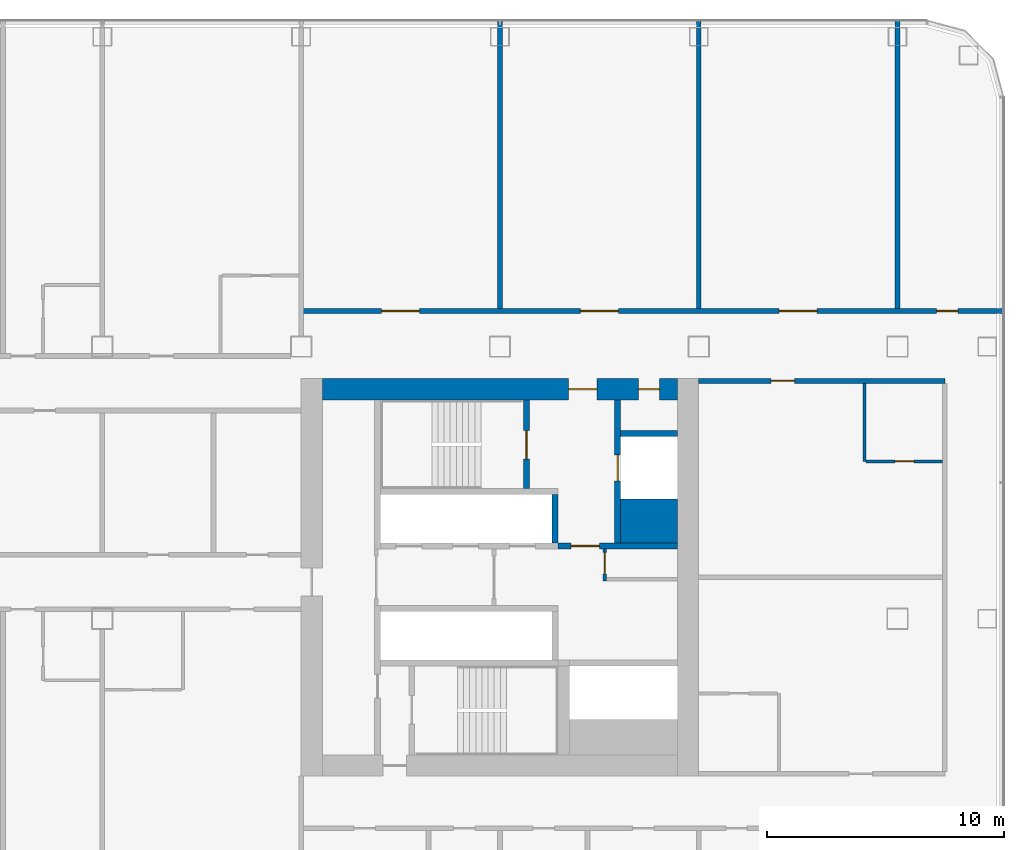
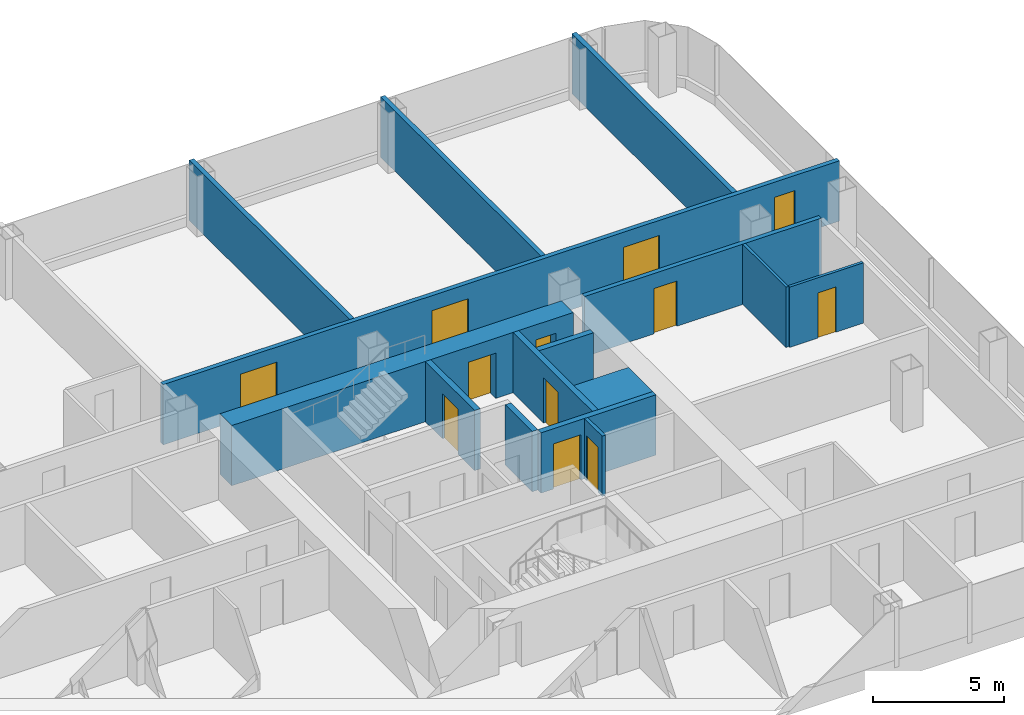
# One storey, part 20 of 29: 15 walls, 12 doors, 12 openings.
"""IFC4 building model written with IfcOpenShell, lengths in metres."""

import ifcopenshell
import ifcopenshell.guid

model = None  # the IFC model being written
_history = None  # IfcOwnerHistory: only IFC2X3 demands one
_inside = {}  # id of a spatial element -> (the spatial element, [elements in it])
_under = {}  # id of a project, library or spatial element -> (it, [spatial elements below it])
_declared = {}  # id of a project -> (the project, [libraries it declares])
_typed = {}  # id of a type object -> (the type object, [elements of that type])
_made_of = {}  # id of a material, layer set ... -> (it, [elements and type objects made of it])


def new_model(schema):
    """Start an empty IFC model of exactly this schema.

    Asked for "IFC4X3", IfcOpenShell would pick the latest addendum, in which some entities
    have other attributes; the version numbers below select the first issue.
    IFC2X3 requires an IfcOwnerHistory on every rooted entity: one is made here for all.
    """
    global model, _history
    if schema == "IFC4X3":
        model = ifcopenshell.file(schema_version=(4, 3, 0, 0))
    else:
        model = ifcopenshell.file(schema=schema)
    _inside.clear()
    _under.clear()
    _declared.clear()
    _typed.clear()
    _made_of.clear()
    _history = None
    if model.schema == "IFC2X3":
        org = make("IfcOrganization", Name="unknown")
        user = make(
            "IfcPersonAndOrganization",
            ThePerson=make("IfcPerson", FamilyName="unknown"),
            TheOrganization=org,
        )
        app = make(
            "IfcApplication",
            ApplicationDeveloper=org,
            Version="unknown",
            ApplicationFullName="unknown",
            ApplicationIdentifier="unknown",
        )
        _history = make(
            "IfcOwnerHistory",
            OwningUser=user,
            OwningApplication=app,
            ChangeAction="ADDED",
            CreationDate=0,
        )
    return model


def make(cls, **values):
    """One entity of the class cls with the attributes given. An attribute that is None is left unset."""
    return model.create_entity(
        cls, **{name: value for name, value in values.items() if value is not None}
    )


def rooted(cls, **values):
    """An entity with a GlobalId (a new one), such as an element, a storey or a relation."""
    return make(cls, GlobalId=ifcopenshell.guid.new(), OwnerHistory=_history, **values)


def si_unit(unit_type, name, prefix=None):
    """IfcSIUnit, for example si_unit("LENGTHUNIT", "METRE", prefix="MILLI")."""
    return make("IfcSIUnit", UnitType=unit_type, Prefix=prefix, Name=name)


def assignment(units):
    """IfcUnitAssignment: the units of a project."""
    return None if units is None else make("IfcUnitAssignment", Units=units)


def point(xyz):
    """IfcCartesianPoint."""
    return None if xyz is None else make("IfcCartesianPoint", Coordinates=xyz)


def direction(xyz):
    """IfcDirection."""
    return None if xyz is None else make("IfcDirection", DirectionRatios=xyz)


def frame(location, z_axis=None, x_axis=None):
    """IfcAxis2Placement3D, a coordinate frame: its origin and axes. An axis left out is left unset."""
    return make(
        "IfcAxis2Placement3D",
        Location=point(location),
        Axis=direction(z_axis),
        RefDirection=direction(x_axis),
    )


def frame_2d(location, x_axis=None):
    """IfcAxis2Placement2D, a coordinate frame in the plane: its origin and x axis."""
    return make(
        "IfcAxis2Placement2D", Location=point(location), RefDirection=direction(x_axis)
    )


def origin():
    """The frame at (0, 0, 0) with its axes left unset."""
    return frame((0.0, 0.0, 0.0))


def place(relative_to, where):
    """IfcLocalPlacement: puts the frame where relative to a parent placement (None: the world)."""
    return make(
        "IfcLocalPlacement", PlacementRelTo=relative_to, RelativePlacement=where
    )


def context(
    kind, dimensions, precision=None, world=None, true_north=None, identifier=None
):
    """IfcGeometricRepresentationContext, for example the 3D "Model" context."""
    return make(
        "IfcGeometricRepresentationContext",
        ContextIdentifier=identifier,
        ContextType=kind,
        CoordinateSpaceDimension=dimensions,
        Precision=precision,
        WorldCoordinateSystem=world,
        TrueNorth=true_north,
    )


def subcontext(parent, identifier, kind, view, scale=None):
    """IfcGeometricRepresentationSubContext, for example "Body" below "Model"."""
    return make(
        "IfcGeometricRepresentationSubContext",
        ContextIdentifier=identifier,
        ContextType=kind,
        ParentContext=parent,
        TargetScale=scale,
        TargetView=view,
    )


def project(units=None, contexts=None):
    """IfcProject with its units and contexts."""
    return rooted(
        "IfcProject",
        Name="project",
        RepresentationContexts=contexts,
        UnitsInContext=assignment(units),
    )


def spatial(cls, under=None, at=None, **own):
    """A site, building, storey or space (cls), placed at a placement, below another one or the project."""
    s = rooted(cls, ObjectPlacement=at, **own)
    if under is not None:
        _under.setdefault(under.id(), (under, []))[1].append(s)
    return s


def profile(cls, at=None, kind="AREA", **sizes):
    """A parametric profile (cls). Its sizes go by their IFC names, for example OverallWidth=200.0."""
    return make(cls, ProfileType=kind, Position=at, **sizes)


def rectangle(**sizes):
    """IfcRectangleProfileDef."""
    return profile("IfcRectangleProfileDef", **sizes)


def extrude(swept, where, along, depth):
    """IfcExtrudedAreaSolid: the profile swept, set in the frame where, extruded along a direction by depth."""
    return make(
        "IfcExtrudedAreaSolid",
        SweptArea=swept,
        Position=where,
        ExtrudedDirection=direction(along),
        Depth=depth,
    )


def shape(context_of_items, identifier, shape_type, items):
    """IfcShapeRepresentation: the items that make up one representation, for example the "Body"."""
    return make(
        "IfcShapeRepresentation",
        ContextOfItems=context_of_items,
        RepresentationIdentifier=identifier,
        RepresentationType=shape_type,
        Items=items,
    )


def material(Name=None, Category=None):
    """IfcMaterial."""
    return make("IfcMaterial", Name=Name, Category=Category)


def layer(
    of_material, thickness, ventilated=None, Name=None, Category=None, Priority=None
):
    """IfcMaterialLayer: one layer of a wall or slab, of a material (None: an air gap)."""
    return make(
        "IfcMaterialLayer",
        Material=of_material,
        LayerThickness=thickness,
        IsVentilated=ventilated,
        Name=Name,
        Category=Category,
        Priority=Priority,
    )


def layer_set(layers, Name=None):
    """IfcMaterialLayerSet."""
    return make("IfcMaterialLayerSet", MaterialLayers=layers, LayerSetName=Name)


def made_of(thing, what):
    """Note that an element or type object is made of a material, layer set ...; save() writes the relation."""
    if what is not None:
        _made_of.setdefault(what.id(), (what, []))[1].append(thing)
    return thing


def type_object(cls, material=None, **own):
    """A type object (cls), such as IfcWallType, which elements share."""
    return made_of(rooted(cls, **own), material)


def element(
    cls,
    number,
    at=None,
    inside=None,
    cuts=None,
    type_object=None,
    material=None,
    context=None,
    identifier="Body",
    shape_type=None,
    held_by="IfcProductDefinitionShape",
    body=None,
    shapes=None,
    **own,
):
    """One element of the class cls, such as IfcWall. Its Tag is "e" and its number.

    at: its placement. inside: the storey or other place that contains it. cuts: it is an
    opening in that element (IfcRelVoidsElement). A single representation is given by context,
    identifier, shape_type and body (its items); several are given by shapes. held_by: the class
    of the entity that holds the representations. save() writes the other relations.
    """
    e = rooted(cls, Tag="e%d" % number, ObjectPlacement=at, **own)
    if body is not None:
        shapes = [shape(context, identifier, shape_type, body)]
    if shapes is not None:
        e.Representation = make(held_by, Representations=shapes)
    if inside is not None:
        _inside.setdefault(inside.id(), (inside, []))[1].append(e)
    if cuts is not None:
        rooted(
            "IfcRelVoidsElement", RelatingBuildingElement=cuts, RelatedOpeningElement=e
        )
    if type_object is not None:
        _typed.setdefault(type_object.id(), (type_object, []))[1].append(e)
    return made_of(e, material)


def fill(opening, filler):
    """IfcRelFillsElement: the door or window that sits in an opening."""
    return rooted(
        "IfcRelFillsElement",
        RelatingOpeningElement=opening,
        RelatedBuildingElement=filler,
    )


def aggregate(whole, parts):
    """IfcRelAggregates: a whole, such as a stair, and the parts it consists of."""
    return rooted("IfcRelAggregates", RelatingObject=whole, RelatedObjects=parts)


def save(model, path):
    """Write the relations noted so far, then the file.

    IfcRelAggregates (storeys below a building ...), IfcRelContainedInSpatialStructure (elements
    in a storey), IfcRelDefinesByType, IfcRelAssociatesMaterial and IfcRelDeclares: one each for
    every whole, place, type object, material and project.
    """
    for whole, parts in _under.values():
        aggregate(whole, parts)
    for where, things in _inside.values():
        rooted(
            "IfcRelContainedInSpatialStructure",
            RelatedElements=things,
            RelatingStructure=where,
        )
    for kind, things in _typed.values():
        rooted("IfcRelDefinesByType", RelatedObjects=things, RelatingType=kind)
    for what, things in _made_of.values():
        rooted("IfcRelAssociatesMaterial", RelatedObjects=things, RelatingMaterial=what)
    for by, libraries in _declared.values():
        rooted("IfcRelDeclares", RelatingContext=by, RelatedDefinitions=libraries)
    model.write(path)


model = new_model("IFC4")

# Units and contexts
model_context = context("Model", 3, precision=1e-05, world=origin(), true_north=direction((0.0, 1.0)))
body_context = subcontext(model_context, "Body", "Model", "MODEL_VIEW")
ifc_project = project(units=[si_unit("LENGTHUNIT", "METRE"), si_unit("AREAUNIT", "SQUARE_METRE"), si_unit("VOLUMEUNIT", "CUBIC_METRE"), si_unit("PLANEANGLEUNIT", "RADIAN"), si_unit("MASSUNIT", "GRAM", prefix="KILO")], contexts=[model_context])

# Site, building, storey
site_placement = place(None, origin())
site = spatial("IfcSite", under=ifc_project, at=site_placement, CompositionType="ELEMENT")
building_placement = place(site_placement, origin())
building = spatial("IfcBuilding", under=site, at=building_placement, Name="Hakoniwa Tower and Hamabe Station Hall", CompositionType="ELEMENT")
storey_placement = place(building_placement, frame((0.0, 0.0, 101.0)))
storey = spatial("IfcBuildingStorey", under=building, at=storey_placement, Name="L28", CompositionType="ELEMENT", Elevation=101.0)

# Wall, opening, door
ifc_material_1 = material(Name="Gypsum board partition", Category="gypsum")
ifc_layer_1 = layer(ifc_material_1, 0.125)
ifc_layer_set_1 = layer_set([ifc_layer_1], Name="Bathroom Partition 125")
wall_type_1 = type_object("IfcWallType", Name="Bathroom Partition 125", PredefinedType="PARTITIONING", material=ifc_layer_set_1)
wall_1_placement = place(storey_placement, frame((40.66259765625, 4.89990234375, 0.0), z_axis=(0.0, 0.0, 1.0), x_axis=(1.0, 0.0, 0.0)))
wall_1 = element("IfcWall", 1, at=wall_1_placement, inside=storey, type_object=wall_type_1, Name="GW-L28-017", PredefinedType="PARTITIONING", context=body_context, shape_type="SweptSolid", body=[
    extrude(rectangle(XDim=3.2373046875, YDim=0.125, at=frame_2d((1.61865234375, 0.0))), origin(), (0.0, 0.0, 1.0), 2.800048828125),
])
opening_1_placement = place(wall_1_placement, frame((1.237548828125, 0.0, 0.0)))
opening_1 = element("IfcOpeningElement", 2, at=opening_1_placement, cuts=wall_1, Name="Opening GD-G2D1-30", PredefinedType="OPENING", context=body_context, shape_type="SweptSolid", body=[
    extrude(rectangle(XDim=0.800048828125, YDim=2.10009765625, at=frame_2d((0.39990234375, 1.050048828125))), frame((0.0, 0.072509765625, 0.0), z_axis=(0.0, -1.0, 0.0), x_axis=(1.0, 0.0, 0.0)), (0.0, 0.0, 1.0), 0.14501953125),
])
ifc_material_2 = material(Name="Timber door leaf", Category="wood")
door_type_1 = type_object("IfcDoorType", Name="Bathroom Door 800", OperationType="SINGLE_SWING_LEFT", PredefinedType="DOOR", material=ifc_material_2)
door_1_placement = place(opening_1_placement, origin())
door_1 = element("IfcDoor", 3, at=door_1_placement, inside=storey, type_object=door_type_1, Name="Door GD-G2D1-30", OperationType="SINGLE_SWING_LEFT", OverallHeight=2.10009765625, OverallWidth=0.800048828125, PredefinedType="DOOR", context=body_context, shape_type="SweptSolid", body=[
    extrude(rectangle(XDim=0.800048828125, YDim=2.10009765625, at=frame_2d((0.39990234375, 1.050048828125))), frame((0.0, 0.02490234375, 0.0), z_axis=(0.0, -1.0, 0.0), x_axis=(1.0, 0.0, 0.0)), (0.0, 0.0, 1.0), 0.050048828125),
])
fill(opening_1, door_1)

# Wall
wall_2_placement = place(storey_placement, frame((40.60009765625, 4.89990234375, 0.0), z_axis=(0.0, 0.0, 1.0), x_axis=(0.0, 1.0, 0.0)))
element("IfcWall", 4, at=wall_2_placement, inside=storey, type_object=wall_type_1, Name="GW-L28-084", PredefinedType="PARTITIONING", context=body_context, shape_type="SweptSolid", body=[
    extrude(rectangle(XDim=3.300048828125, YDim=0.125, at=frame_2d((1.64990234375, 0.0))), origin(), (0.0, 0.0, 1.0), 2.800048828125),
])

# Wall, opening, door
ifc_material_3 = material(Name="Gypsum board partition")
ifc_layer_2 = layer(ifc_material_3, 0.14990234375)
ifc_layer_set_2 = layer_set([ifc_layer_2], Name="CORE PARTITION 150 EI 60")
wall_type_2 = type_object("IfcWallType", Name="CORE PARTITION 150 EI 60", PredefinedType="PARTITIONING", material=ifc_layer_set_2)
wall_3_placement = place(storey_placement, frame((29.625, -0.14990234375, 0.0), z_axis=(0.0, 0.0, 1.0), x_axis=(0.0, 1.0, 0.0)))
wall_3 = element("IfcWall", 5, at=wall_3_placement, inside=storey, type_object=wall_type_2, Name="Core partition PW0 east", PredefinedType="PARTITIONING", context=body_context, shape_type="SweptSolid", body=[
    extrude(rectangle(XDim=1.349853515625, YDim=0.14990234375, at=frame_2d((0.6748046875, 0.0))), origin(), (0.0, 0.0, 1.0), 2.800048828125),
])
opening_2_placement = place(wall_3_placement, frame((0.300048828125, 0.0, 0.0)))
opening_2 = element("IfcOpeningElement", 6, at=opening_2_placement, cuts=wall_3, Name="Opening CD-E-RM1-9", PredefinedType="OPENING", context=body_context, shape_type="SweptSolid", body=[
    extrude(rectangle(XDim=0.89990234375, YDim=2.10009765625, at=frame_2d((0.449951171875, 1.050048828125))), frame((0.0, 0.0849609375, 0.0), z_axis=(0.0, -1.0, 0.0), x_axis=(1.0, 0.0, 0.0)), (0.0, 0.0, 1.0), 0.169921875),
])
ifc_material_4 = material(Name="Steel fire door", Category="steel")
door_type_2 = type_object("IfcDoorType", Name="CORE DOOR 900 FD30", OperationType="NOTDEFINED", PredefinedType="DOOR", material=ifc_material_4)
door_2_placement = place(opening_2_placement, origin())
door_2 = element("IfcDoor", 7, at=door_2_placement, inside=storey, type_object=door_type_2, Name="Store room door", OperationType="SINGLE_SWING_RIGHT", OverallHeight=2.10009765625, OverallWidth=0.89990234375, PredefinedType="DOOR", context=body_context, shape_type="SweptSolid", body=[
    extrude(rectangle(XDim=0.89990234375, YDim=2.10009765625, at=frame_2d((0.449951171875, 1.050048828125))), frame((0.0, 0.02490234375, 0.0), z_axis=(0.0, -1.0, 0.0), x_axis=(1.0, 0.0, 0.0)), (0.0, 0.0, 1.0), 0.050048828125),
])
fill(opening_2, door_2)

# Wall, openings, doors
ifc_material_5 = material(Name="Concrete C72", Category="concrete")
ifc_layer_3 = layer(ifc_material_5, 0.89990234375)
ifc_layer_set_3 = layer_set([ifc_layer_3], Name="CORE WALL 900 C72")
wall_type_3 = type_object("IfcWallType", Name="CORE WALL 900 C72", PredefinedType="SHEAR", material=ifc_layer_set_3)
wall_4_placement = place(storey_placement, frame((17.699951171875, 7.949951171875, 0.0), z_axis=(0.0, 0.0, 1.0), x_axis=(1.0, 0.0, 0.0)))
wall_4 = element("IfcWall", 8, at=wall_4_placement, inside=storey, type_object=wall_type_3, Name="Core wall NORTH east", PredefinedType="SHEAR", context=body_context, shape_type="SweptSolid", body=[
    extrude(rectangle(XDim=15.0, YDim=0.89990234375, at=frame_2d((7.5, 0.0))), origin(), (0.0, 0.0, 1.0), 2.800048828125),
])
opening_3_placement = place(wall_4_placement, frame((10.39990234375, 0.0, 0.0)))
opening_3 = element("IfcOpeningElement", 9, at=opening_3_placement, cuts=wall_4, Name="Opening CD-E-FN1-12", PredefinedType="OPENING", context=body_context, shape_type="SweptSolid", body=[
    extrude(rectangle(XDim=1.199951171875, YDim=2.10009765625, at=frame_2d((0.60009765625, 1.050048828125))), frame((0.0, 0.4599609375, 0.0), z_axis=(0.0, -1.0, 0.0), x_axis=(1.0, 0.0, 0.0)), (0.0, 0.0, 1.0), 0.919921875),
])
opening_4_placement = place(wall_4_placement, frame((13.35009765625, 0.0, 0.0)))
opening_4 = element("IfcOpeningElement", 10, at=opening_4_placement, cuts=wall_4, Name="Opening CD-E-FN2-9", PredefinedType="OPENING", context=body_context, shape_type="SweptSolid", body=[
    extrude(rectangle(XDim=0.89990234375, YDim=2.10009765625, at=frame_2d((0.449951171875, 1.050048828125))), frame((0.0, 0.4599609375, 0.0), z_axis=(0.0, -1.0, 0.0), x_axis=(1.0, 0.0, 0.0)), (0.0, 0.0, 1.0), 0.919921875),
])
ifc_material_6 = material(Name="Steel fire door", Category="steel")
door_type_3 = type_object("IfcDoorType", Name="CORE DOOR 1200 FD60", OperationType="DOUBLE_DOOR_SINGLE_SWING", PredefinedType="DOOR", material=ifc_material_6)
door_3_placement = place(opening_3_placement, origin())
door_3 = element("IfcDoor", 11, at=door_3_placement, inside=storey, type_object=door_type_3, Name="Stair vestibule door to the fire-fighting lobby", OperationType="DOUBLE_DOOR_SINGLE_SWING", OverallHeight=2.10009765625, OverallWidth=1.199951171875, PredefinedType="DOOR", context=body_context, shape_type="SweptSolid", body=[
    extrude(rectangle(XDim=1.199951171875, YDim=2.10009765625, at=frame_2d((0.60009765625, 1.050048828125))), frame((0.0, 0.02490234375, 0.0), z_axis=(0.0, -1.0, 0.0), x_axis=(1.0, 0.0, 0.0)), (0.0, 0.0, 1.0), 0.050048828125),
])
fill(opening_3, door_3)
door_4_placement = place(opening_4_placement, origin())
door_4 = element("IfcDoor", 12, at=door_4_placement, inside=storey, type_object=door_type_2, Name="Riser access door", OperationType="SINGLE_SWING_LEFT", OverallHeight=2.10009765625, OverallWidth=0.89990234375, PredefinedType="DOOR", context=body_context, shape_type="SweptSolid", body=[
    extrude(rectangle(XDim=0.89990234375, YDim=2.10009765625, at=frame_2d((0.449951171875, 1.050048828125))), frame((0.0, 0.02490234375, 0.0), z_axis=(0.0, -1.0, 0.0), x_axis=(1.0, 0.0, 0.0)), (0.0, 0.0, 1.0), 0.050048828125),
])
fill(opening_4, door_4)

# Walls
ifc_material_7 = material(Name="Concrete C72", Category="concrete")
ifc_layer_4 = layer(ifc_material_7, 1.85009765625)
ifc_layer_set_4 = layer_set([ifc_layer_4], Name="CORE WEB WALL 1850 C72")
wall_type_4 = type_object("IfcWallType", Name="CORE WEB WALL 1850 C72", PredefinedType="SHEAR", material=ifc_layer_set_4)
wall_5_placement = place(storey_placement, frame((30.300048828125, 2.375, 0.0), z_axis=(0.0, 0.0, 1.0), x_axis=(1.0, 0.0, 0.0)))
element("IfcWall", 13, at=wall_5_placement, inside=storey, type_object=wall_type_4, Name="Core wall CA east", PredefinedType="SHEAR", context=body_context, shape_type="SweptSolid", body=[
    extrude(rectangle(XDim=2.39990234375, YDim=1.85009765625, at=frame_2d((1.199951171875, 0.0))), origin(), (0.0, 0.0, 1.0), 2.800048828125),
])
ifc_material_8 = material(Name="Concrete C72", Category="concrete")
ifc_layer_5 = layer(ifc_material_8, 0.25)
ifc_layer_set_5 = layer_set([ifc_layer_5], Name="CORE WEB WALL 250 C72")
wall_type_5 = type_object("IfcWallType", Name="CORE WEB WALL 250 C72", PredefinedType="SHEAR", material=ifc_layer_set_5)
wall_6_placement = place(storey_placement, frame((27.52490234375, 1.449951171875, 0.0), z_axis=(0.0, 0.0, 1.0), x_axis=(0.0, 1.0, 0.0)))
element("IfcWall", 14, at=wall_6_placement, inside=storey, type_object=wall_type_5, Name="Core wall NE east", PredefinedType="SHEAR", context=body_context, shape_type="SweptSolid", body=[
    extrude(rectangle(XDim=2.050048828125, YDim=0.25, at=frame_2d((1.02490234375, 0.0))), origin(), (0.0, 0.0, 1.0), 2.800048828125),
])

# Wall, opening, door
wall_7_placement = place(storey_placement, frame((26.324951171875, 3.75, 0.0), z_axis=(0.0, 0.0, 1.0), x_axis=(0.0, 1.0, 0.0)))
wall_7 = element("IfcWall", 15, at=wall_7_placement, inside=storey, type_object=wall_type_5, Name="Core wall NSE east", PredefinedType="SHEAR", context=body_context, shape_type="SweptSolid", body=[
    extrude(rectangle(XDim=3.75, YDim=0.25, at=frame_2d((1.875, 0.0))), origin(), (0.0, 0.0, 1.0), 2.800048828125),
])
opening_5_placement = place(wall_7_placement, frame((1.25, 0.0, 0.0)))
opening_5 = element("IfcOpeningElement", 16, at=opening_5_placement, cuts=wall_7, Name="Opening CD-E-SN-12", PredefinedType="OPENING", context=body_context, shape_type="SweptSolid", body=[
    extrude(rectangle(XDim=1.199951171875, YDim=2.10009765625, at=frame_2d((0.60009765625, 1.050048828125))), frame((0.0, 0.135009765625, 0.0), z_axis=(0.0, -1.0, 0.0), x_axis=(1.0, 0.0, 0.0)), (0.0, 0.0, 1.0), 0.27001953125),
])
door_5_placement = place(opening_5_placement, origin())
door_5 = element("IfcDoor", 17, at=door_5_placement, inside=storey, type_object=door_type_3, Name="Escape stair door", OperationType="DOUBLE_DOOR_SINGLE_SWING", OverallHeight=2.10009765625, OverallWidth=1.199951171875, PredefinedType="DOOR", context=body_context, shape_type="SweptSolid", body=[
    extrude(rectangle(XDim=1.199951171875, YDim=2.10009765625, at=frame_2d((0.60009765625, 1.050048828125))), frame((0.0, 0.02490234375, 0.0), z_axis=(0.0, -1.0, 0.0), x_axis=(1.0, 0.0, 0.0)), (0.0, 0.0, 1.0), 0.050048828125),
])
fill(opening_5, door_5)

wall_8_placement = place(storey_placement, frame((27.64990234375, 1.324951171875, 0.0), z_axis=(0.0, 0.0, 1.0), x_axis=(1.0, 0.0, 0.0)))
wall_8 = element("IfcWall", 18, at=wall_8_placement, inside=storey, type_object=wall_type_5, Name="Core wall ELN east", PredefinedType="SHEAR", context=body_context, shape_type="SweptSolid", body=[
    extrude(rectangle(XDim=5.050048828125, YDim=0.25, at=frame_2d((2.52490234375, 0.0))), origin(), (0.0, 0.0, 1.0), 2.800048828125),
])
opening_6_placement = place(wall_8_placement, frame((0.550048828125, 0.0, 0.0)))
opening_6 = element("IfcOpeningElement", 19, at=opening_6_placement, cuts=wall_8, Name="Opening CD-E-FL-12", PredefinedType="OPENING", context=body_context, shape_type="SweptSolid", body=[
    extrude(rectangle(XDim=1.199951171875, YDim=2.10009765625, at=frame_2d((0.60009765625, 1.050048828125))), frame((0.0, 0.135009765625, 0.0), z_axis=(0.0, -1.0, 0.0), x_axis=(1.0, 0.0, 0.0)), (0.0, 0.0, 1.0), 0.27001953125),
])
door_6_placement = place(opening_6_placement, origin())
door_6 = element("IfcDoor", 20, at=door_6_placement, inside=storey, type_object=door_type_3, Name="Stair vestibule door to the fire-fighting lobby", OperationType="DOUBLE_DOOR_SINGLE_SWING", OverallHeight=2.10009765625, OverallWidth=1.199951171875, PredefinedType="DOOR", context=body_context, shape_type="SweptSolid", body=[
    extrude(rectangle(XDim=1.199951171875, YDim=2.10009765625, at=frame_2d((0.60009765625, 1.050048828125))), frame((0.0, 0.02490234375, 0.0), z_axis=(0.0, -1.0, 0.0), x_axis=(1.0, 0.0, 0.0)), (0.0, 0.0, 1.0), 0.050048828125),
])
fill(opening_6, door_6)

wall_9_placement = place(storey_placement, frame((30.175048828125, 1.449951171875, 0.0), z_axis=(0.0, 0.0, 1.0), x_axis=(0.0, 1.0, 0.0)))
wall_9 = element("IfcWall", 21, at=wall_9_placement, inside=storey, type_object=wall_type_5, Name="Core wall FFF east", PredefinedType="SHEAR", context=body_context, shape_type="SweptSolid", body=[
    extrude(rectangle(XDim=6.050048828125, YDim=0.25, at=frame_2d((3.02490234375, 0.0))), origin(), (0.0, 0.0, 1.0), 2.800048828125),
])
opening_7_placement = place(wall_9_placement, frame((2.625, 0.0, 0.0)))
opening_7 = element("IfcOpeningElement", 22, at=opening_7_placement, cuts=wall_9, Name="Opening LD-FF2", PredefinedType="OPENING", context=body_context, shape_type="SweptSolid", body=[
    extrude(rectangle(XDim=1.10009765625, YDim=2.10009765625, at=frame_2d((0.550048828125, 1.050048828125))), frame((0.0, 0.135009765625, 0.0), z_axis=(0.0, -1.0, 0.0), x_axis=(1.0, 0.0, 0.0)), (0.0, 0.0, 1.0), 0.27001953125),
])
ifc_material_9 = material(Name="Stainless steel SUS304", Category="steel")
door_type_4 = type_object("IfcDoorType", Name="LIFT LANDING DOOR 1100 FD60", OperationType="DOUBLE_DOOR_SLIDING", PredefinedType="DOOR", material=ifc_material_9)
door_7_placement = place(opening_7_placement, origin())
door_7 = element("IfcDoor", 23, at=door_7_placement, inside=storey, type_object=door_type_4, Name="Lift landing door FF2 L28", OperationType="DOUBLE_DOOR_SLIDING", OverallHeight=2.10009765625, OverallWidth=1.10009765625, PredefinedType="DOOR", context=body_context, shape_type="SweptSolid", body=[
    extrude(rectangle(XDim=1.10009765625, YDim=2.10009765625, at=frame_2d((0.550048828125, 1.050048828125))), frame((0.0, 0.02490234375, 0.0), z_axis=(0.0, -1.0, 0.0), x_axis=(1.0, 0.0, 0.0)), (0.0, 0.0, 1.0), 0.050048828125),
])
fill(opening_7, door_7)

# Wall
wall_10_placement = place(storey_placement, frame((30.300048828125, 6.074951171875, 0.0), z_axis=(0.0, 0.0, 1.0), x_axis=(1.0, 0.0, 0.0)))
element("IfcWall", 24, at=wall_10_placement, inside=storey, type_object=wall_type_5, Name="Core wall C2 east", PredefinedType="SHEAR", context=body_context, shape_type="SweptSolid", body=[
    extrude(rectangle(XDim=2.39990234375, YDim=0.25, at=frame_2d((1.199951171875, 0.0))), origin(), (0.0, 0.0, 1.0), 2.800048828125),
])

# Wall, opening, door
ifc_material_10 = material(Name="Fire-rated gypsum board partition", Category="gypsum")
ifc_layer_6 = layer(ifc_material_10, 0.199951171875)
ifc_layer_set_6 = layer_set([ifc_layer_6], Name="Corridor Wall 200")
wall_type_6 = type_object("IfcWallType", Name="Corridor Wall 200", PredefinedType="PARTITIONING", material=ifc_layer_set_6)
wall_11_placement = place(storey_placement, frame((33.60009765625, 8.300048828125, 0.0), z_axis=(0.0, 0.0, 1.0), x_axis=(1.0, 0.0, 0.0)))
wall_11 = element("IfcWall", 25, at=wall_11_placement, inside=storey, type_object=wall_type_6, Name="GW-L28-020", PredefinedType="PARTITIONING", context=body_context, shape_type="SweptSolid", body=[
    extrude(rectangle(XDim=10.39990234375, YDim=0.199951171875, at=frame_2d((5.199951171875, 0.0))), origin(), (0.0, 0.0, 1.0), 2.800048828125),
])
opening_8_placement = place(wall_11_placement, frame((3.050048828125, 0.0, 0.0)))
opening_8 = element("IfcOpeningElement", 26, at=opening_8_placement, cuts=wall_11, Name="Opening GD-G2D1-36", PredefinedType="OPENING", context=body_context, shape_type="SweptSolid", body=[
    extrude(rectangle(XDim=1.0, YDim=2.10009765625, at=frame_2d((0.5, 1.050048828125))), frame((0.0, 0.10986328125, 0.0), z_axis=(0.0, -1.0, 0.0), x_axis=(1.0, 0.0, 0.0)), (0.0, 0.0, 1.0), 0.219970703125),
])
ifc_material_11 = material(Name="Timber door leaf", Category="wood")
door_type_5 = type_object("IfcDoorType", Name="Guest Entrance Door 1000", OperationType="SINGLE_SWING_LEFT", PredefinedType="DOOR", material=ifc_material_11)
door_8_placement = place(opening_8_placement, origin())
door_8 = element("IfcDoor", 27, at=door_8_placement, inside=storey, type_object=door_type_5, Name="Door GD-G2D1-36", OperationType="SINGLE_SWING_RIGHT", OverallHeight=2.10009765625, OverallWidth=1.0, PredefinedType="DOOR", context=body_context, shape_type="SweptSolid", body=[
    extrude(rectangle(XDim=1.0, YDim=2.10009765625, at=frame_2d((0.5, 1.050048828125))), frame((0.0, 0.02490234375, 0.0), z_axis=(0.0, -1.0, 0.0), x_axis=(1.0, 0.0, 0.0)), (0.0, 0.0, 1.0), 0.050048828125),
])
fill(opening_8, door_8)

# Wall, openings, doors
wall_12_placement = place(storey_placement, frame((16.800048828125, 11.25, 0.0), z_axis=(0.0, 0.0, 1.0), x_axis=(1.0, 0.0, 0.0)))
wall_12 = element("IfcWall", 28, at=wall_12_placement, inside=storey, type_object=wall_type_6, Name="GW-L28-023", PredefinedType="PARTITIONING", context=body_context, shape_type="SweptSolid", body=[
    extrude(rectangle(XDim=29.699951171875, YDim=0.199951171875, at=frame_2d((14.85009765625, 0.0))), origin(), (0.0, 0.0, 1.0), 2.800048828125),
])
opening_9_placement = place(wall_12_placement, frame((3.39990234375, 0.0, 0.0)))
opening_9 = element("IfcOpeningElement", 29, at=opening_9_placement, cuts=wall_12, Name="Opening GD-G2D1-50", PredefinedType="OPENING", context=body_context, shape_type="SweptSolid", body=[
    extrude(rectangle(XDim=1.60009765625, YDim=2.10009765625, at=frame_2d((0.800048828125, 1.050048828125))), frame((0.0, 0.10986328125, 0.0), z_axis=(0.0, -1.0, 0.0), x_axis=(1.0, 0.0, 0.0)), (0.0, 0.0, 1.0), 0.219970703125),
])
opening_10_placement = place(wall_12_placement, frame((11.800048828125, 0.0, 0.0)))
opening_10 = element("IfcOpeningElement", 30, at=opening_10_placement, cuts=wall_12, Name="Opening GD-G2D1-51", PredefinedType="OPENING", context=body_context, shape_type="SweptSolid", body=[
    extrude(rectangle(XDim=1.60009765625, YDim=2.10009765625, at=frame_2d((0.800048828125, 1.050048828125))), frame((0.0, 0.10986328125, 0.0), z_axis=(0.0, -1.0, 0.0), x_axis=(1.0, 0.0, 0.0)), (0.0, 0.0, 1.0), 0.219970703125),
])
opening_11_placement = place(wall_12_placement, frame((20.199951171875, 0.0, 0.0)))
opening_11 = element("IfcOpeningElement", 31, at=opening_11_placement, cuts=wall_12, Name="Opening GD-G2D1-52", PredefinedType="OPENING", context=body_context, shape_type="SweptSolid", body=[
    extrude(rectangle(XDim=1.60009765625, YDim=2.10009765625, at=frame_2d((0.800048828125, 1.050048828125))), frame((0.0, 0.10986328125, 0.0), z_axis=(0.0, -1.0, 0.0), x_axis=(1.0, 0.0, 0.0)), (0.0, 0.0, 1.0), 0.219970703125),
])
opening_12_placement = place(wall_12_placement, frame((26.85009765625, 0.0, 0.0)))
opening_12 = element("IfcOpeningElement", 32, at=opening_12_placement, cuts=wall_12, Name="Opening GD-G2D1-53", PredefinedType="OPENING", context=body_context, shape_type="SweptSolid", body=[
    extrude(rectangle(XDim=0.89990234375, YDim=2.10009765625, at=frame_2d((0.449951171875, 1.050048828125))), frame((0.0, 0.10986328125, 0.0), z_axis=(0.0, -1.0, 0.0), x_axis=(1.0, 0.0, 0.0)), (0.0, 0.0, 1.0), 0.219970703125),
])
ifc_material_12 = material(Name="Timber door leaf", Category="wood")
door_type_6 = type_object("IfcDoorType", Name="Double Door 1600", OperationType="DOUBLE_DOOR_SINGLE_SWING", PredefinedType="DOOR", material=ifc_material_12)
door_9_placement = place(opening_9_placement, origin())
door_9 = element("IfcDoor", 33, at=door_9_placement, inside=storey, type_object=door_type_6, Name="Door GD-G2D1-50", OperationType="DOUBLE_DOOR_SINGLE_SWING", OverallHeight=2.10009765625, OverallWidth=1.60009765625, PredefinedType="DOOR", context=body_context, shape_type="SweptSolid", body=[
    extrude(rectangle(XDim=1.60009765625, YDim=2.10009765625, at=frame_2d((0.800048828125, 1.050048828125))), frame((0.0, 0.02490234375, 0.0), z_axis=(0.0, -1.0, 0.0), x_axis=(1.0, 0.0, 0.0)), (0.0, 0.0, 1.0), 0.050048828125),
])
fill(opening_9, door_9)
door_10_placement = place(opening_10_placement, origin())
door_10 = element("IfcDoor", 34, at=door_10_placement, inside=storey, type_object=door_type_6, Name="Door GD-G2D1-51", OperationType="DOUBLE_DOOR_SINGLE_SWING", OverallHeight=2.10009765625, OverallWidth=1.60009765625, PredefinedType="DOOR", context=body_context, shape_type="SweptSolid", body=[
    extrude(rectangle(XDim=1.60009765625, YDim=2.10009765625, at=frame_2d((0.800048828125, 1.050048828125))), frame((0.0, 0.02490234375, 0.0), z_axis=(0.0, -1.0, 0.0), x_axis=(1.0, 0.0, 0.0)), (0.0, 0.0, 1.0), 0.050048828125),
])
fill(opening_10, door_10)
door_11_placement = place(opening_11_placement, origin())
door_11 = element("IfcDoor", 35, at=door_11_placement, inside=storey, type_object=door_type_6, Name="Door GD-G2D1-52", OperationType="DOUBLE_DOOR_SINGLE_SWING", OverallHeight=2.10009765625, OverallWidth=1.60009765625, PredefinedType="DOOR", context=body_context, shape_type="SweptSolid", body=[
    extrude(rectangle(XDim=1.60009765625, YDim=2.10009765625, at=frame_2d((0.800048828125, 1.050048828125))), frame((0.0, 0.02490234375, 0.0), z_axis=(0.0, -1.0, 0.0), x_axis=(1.0, 0.0, 0.0)), (0.0, 0.0, 1.0), 0.050048828125),
])
fill(opening_11, door_11)
ifc_material_13 = material(Name="Timber door leaf", Category="wood")
door_type_7 = type_object("IfcDoorType", Name="Service Door 900", OperationType="SINGLE_SWING_LEFT", PredefinedType="DOOR", material=ifc_material_13)
door_12_placement = place(opening_12_placement, origin())
door_12 = element("IfcDoor", 36, at=door_12_placement, inside=storey, type_object=door_type_7, Name="Door GD-G2D1-53", OperationType="SINGLE_SWING_RIGHT", OverallHeight=2.10009765625, OverallWidth=0.89990234375, PredefinedType="DOOR", context=body_context, shape_type="SweptSolid", body=[
    extrude(rectangle(XDim=0.89990234375, YDim=2.10009765625, at=frame_2d((0.449951171875, 1.050048828125))), frame((0.0, 0.02490234375, 0.0), z_axis=(0.0, -1.0, 0.0), x_axis=(1.0, 0.0, 0.0)), (0.0, 0.0, 1.0), 0.050048828125),
])
fill(opening_12, door_12)

# Walls
ifc_material_14 = material(Name="Fire-rated gypsum board partition", Category="gypsum")
ifc_layer_7 = layer(ifc_material_14, 0.199951171875)
ifc_layer_set_7 = layer_set([ifc_layer_7], Name="Party Wall 200")
wall_type_7 = type_object("IfcWallType", Name="Party Wall 200", PredefinedType="PARTITIONING", material=ifc_layer_set_7)
for number, where, z_axis, x_axis, name in (
    (37, (25.199951171875, 11.35009765625, 0.0), (0.0, 0.0, 1.0), (0.0, 1.0, 0.0), "GW-L28-078"),
    (38, (33.60009765625, 11.35009765625, 0.0), (0.0, 0.0, 1.0), (0.0, 1.0, 0.0), "GW-L28-081"),
    (39, (42.0, 11.35009765625, 0.0), (0.0, 0.0, 1.0), (0.0, 1.0, 0.0), "GW-L28-086"),
):
    element("IfcWall", number, at=place(storey_placement, frame(where, z_axis=z_axis, x_axis=x_axis)), inside=storey, type_object=wall_type_7, Name=name, PredefinedType="PARTITIONING", context=body_context, shape_type="SweptSolid", body=[
        extrude(rectangle(XDim=12.199951171875, YDim=0.199951171875, at=frame_2d((6.10009765625, 0.0))), origin(), (0.0, 0.0, 1.0), 2.800048828125),
    ])

save(model, "model.ifc")
